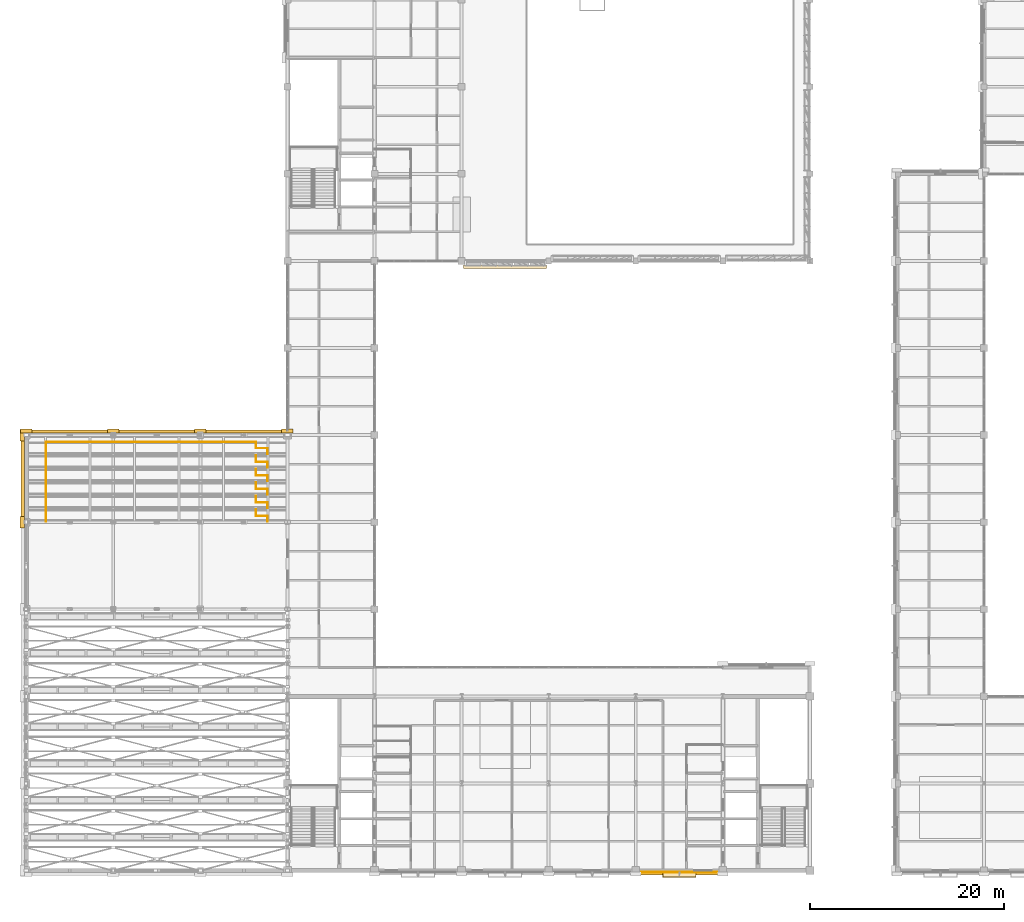
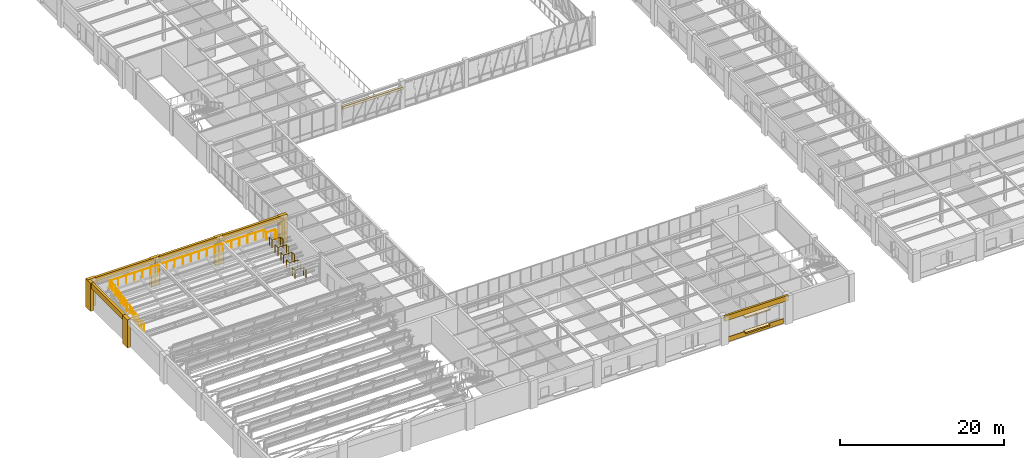
# One storey, part 103 of 108: 15 coverings, 11 railings.
"""IFC4 building model written with IfcOpenShell, lengths in metres."""

from ifc_helpers import new_model, si_unit, direction, frame, origin, origin_2d, place, context, subcontext, project, spatial, rectangle, circle, extrude, material, layer, layer_set, type_object, element, save


model = new_model("IFC4")

# Units and contexts
model_context = context("Model", 3, precision=1e-05, world=origin(), true_north=direction((0.0, 1.0)))
body_context = subcontext(model_context, "Body", "Model", "MODEL_VIEW")
ifc_project = project(units=[si_unit("LENGTHUNIT", "METRE"), si_unit("AREAUNIT", "SQUARE_METRE"), si_unit("VOLUMEUNIT", "CUBIC_METRE"), si_unit("PLANEANGLEUNIT", "RADIAN"), si_unit("MASSUNIT", "GRAM", prefix="KILO")], contexts=[model_context])

# Site, building, storey
site_placement = place(None, origin())
site = spatial("IfcSite", under=ifc_project, at=site_placement, CompositionType="ELEMENT")
building_placement = place(site_placement, origin())
building = spatial("IfcBuilding", under=site, at=building_placement, Name="Lykobir Media Centre", CompositionType="ELEMENT")
storey_placement = place(building_placement, frame((0.0, 0.0, 15.0)))
storey = spatial("IfcBuildingStorey", under=building, at=storey_placement, Name="L03", CompositionType="ELEMENT", Elevation=15.0)

# Coverings
ifc_material_1 = material(Name="Glazed Turquoise Terracotta", Category="masonry")
ifc_layer_1 = layer(ifc_material_1, 0.0400390625, Name="Glazed Turquoise Terracotta")
ifc_layer_set_1 = layer_set([ifc_layer_1], Name="Glazed Turquoise Terracotta")
covering_type_1 = type_object("IfcCoveringType", Name="CLD-TERR", PredefinedType="CLADDING", material=ifc_layer_set_1)
covering_1_placement = place(storey_placement, frame((67.5, -0.196044921875, 0.080078125), z_axis=(0.0, 0.0, 1.0), x_axis=(1.0, 0.0, 0.0)))
element("IfcCovering", 1, at=covering_1_placement, inside=storey, type_object=covering_type_1, Name="Facade spandrel apron 489", PredefinedType="CLADDING", context=body_context, shape_type="SweptSolid", body=[
    extrude(rectangle(XDim=7.830078125, YDim=0.10009765625, at=origin_2d()), origin(), (0.0, 0.0, 1.0), 0.719970703125),
])
ifc_material_2 = material(Name="Honed Travertine Stone", Category="masonry")
ifc_layer_2 = layer(ifc_material_2, 0.050048828125, Name="Honed Travertine Stone")
ifc_layer_set_2 = layer_set([ifc_layer_2], Name="Honed Travertine Stone")
covering_type_2 = type_object("IfcCoveringType", Name="CLD-TRAV", PredefinedType="CLADDING", material=ifc_layer_set_2)
covering_2_placement = place(storey_placement, frame((67.5, -0.300048828125, 3.43994140625), z_axis=(0.0, 0.0, 1.0), x_axis=(1.0, 0.0, 0.0)))
element("IfcCovering", 2, at=covering_2_placement, inside=storey, type_object=covering_type_2, Name="Travertine spandrel stringcourse 488", PredefinedType="CLADDING", context=body_context, shape_type="SweptSolid", body=[
    extrude(rectangle(XDim=9.0, YDim=0.280029296875, at=origin_2d()), origin(), (0.0, 0.0, 1.0), 0.760009765625),
])
covering_3_placement = place(storey_placement, frame((67.5, -0.429931640625, 0.77001953125), z_axis=(0.0, 0.0, 1.0), x_axis=(1.0, 0.0, 0.0)))
element("IfcCovering", 3, at=covering_3_placement, inside=storey, type_object=covering_type_2, Name="Ottoman Cumba sill 490", PredefinedType="CLADDING", context=body_context, shape_type="SweptSolid", body=[
    extrude(rectangle(XDim=3.39990234375, YDim=0.52001953125, at=origin_2d()), origin(), (0.0, 0.0, 1.0), 0.179931640625),
])
covering_4_placement = place(storey_placement, frame((67.5, -0.429931640625, 3.08984375), z_axis=(0.0, 0.0, 1.0), x_axis=(1.0, 0.0, 0.0)))
element("IfcCovering", 4, at=covering_4_placement, inside=storey, type_object=covering_type_2, Name="Ottoman Cumba canopy 491", PredefinedType="CLADDING", context=body_context, shape_type="SweptSolid", body=[
    extrude(rectangle(XDim=3.5, YDim=0.60009765625, at=origin_2d()), origin(), (0.0, 0.0, 1.0), 0.179931640625),
])
covering_5_placement = place(storey_placement, frame((49.5, 62.396240234375, 3.3251953125), z_axis=(0.0, 0.0, 1.0), x_axis=(1.0, 0.0, 0.0)))
element("IfcCovering", 5, at=covering_5_placement, inside=storey, type_object=covering_type_2, Name="V6 diagonal crease rib 496", PredefinedType="CLADDING", context=body_context, shape_type="SweptSolid", body=[
    extrude(rectangle(XDim=8.580078125, YDim=0.360107421875, at=origin_2d()), origin(), (0.0, 0.0, 1.0), 0.340087890625),
])
covering_6_placement = place(storey_placement, frame((4.5, 45.360107421875, 3.35986328125), z_axis=(0.0, 0.0, 1.0), x_axis=(-1.0, 0.0, 0.0)))
element("IfcCovering", 6, at=covering_6_placement, inside=storey, type_object=covering_type_2, Name="Acoustic hall cornice band 513", PredefinedType="CLADDING", context=body_context, shape_type="SweptSolid", body=[
    extrude(rectangle(XDim=9.0, YDim=0.340087890625, at=origin_2d()), origin(), (0.0, 0.0, 1.0), 0.840087890625),
])
for number, where, z_axis, x_axis, name in (
    (7, (9.0, 45.419921875, 0.0), (0.0, 0.0, 1.0), (-1.0, 0.0, 0.0), "Stone pilaster 514"),
    (8, (0.0, 45.419921875, 0.0), (0.0, 0.0, 1.0), (-1.0, 0.0, 0.0), "Stone pilaster 515"),
):
    element("IfcCovering", number, at=place(storey_placement, frame(where, z_axis=z_axis, x_axis=x_axis)), inside=storey, type_object=covering_type_2, Name=name, PredefinedType="CLADDING", context=body_context, shape_type="SweptSolid", body=[
        extrude(rectangle(XDim=1.179931640625, YDim=0.43994140625, at=origin_2d()), origin(), (0.0, 0.0, 1.0), 4.199951171875),
    ])
covering_7_placement = place(storey_placement, frame((13.5, 45.360107421875, 3.35986328125), z_axis=(0.0, 0.0, 1.0), x_axis=(-1.0, 0.0, 0.0)))
element("IfcCovering", 9, at=covering_7_placement, inside=storey, type_object=covering_type_2, Name="Acoustic hall cornice band 516", PredefinedType="CLADDING", context=body_context, shape_type="SweptSolid", body=[
    extrude(rectangle(XDim=9.0, YDim=0.340087890625, at=origin_2d()), origin(), (0.0, 0.0, 1.0), 0.840087890625),
])
covering_8_placement = place(storey_placement, frame((18.0, 45.419921875, 0.0), z_axis=(0.0, 0.0, 1.0), x_axis=(-1.0, 0.0, 0.0)))
element("IfcCovering", 10, at=covering_8_placement, inside=storey, type_object=covering_type_2, Name="Stone pilaster 517", PredefinedType="CLADDING", context=body_context, shape_type="SweptSolid", body=[
    extrude(rectangle(XDim=1.179931640625, YDim=0.43994140625, at=origin_2d()), origin(), (0.0, 0.0, 1.0), 4.199951171875),
])
covering_9_placement = place(storey_placement, frame((22.5, 45.360107421875, 3.35986328125), z_axis=(0.0, 0.0, 1.0), x_axis=(-1.0, 0.0, 0.0)))
element("IfcCovering", 11, at=covering_9_placement, inside=storey, type_object=covering_type_2, Name="Acoustic hall cornice band 518", PredefinedType="CLADDING", context=body_context, shape_type="SweptSolid", body=[
    extrude(rectangle(XDim=9.0, YDim=0.340087890625, at=origin_2d()), origin(), (0.0, 0.0, 1.0), 0.840087890625),
])
for number, where, z_axis, x_axis, name in (
    (12, (27.0, 45.419921875, 0.0), (0.0, 0.0, 1.0), (-1.0, 0.0, 0.0), "Stone pilaster 519"),
    (13, (-0.419921875, 36.0, 0.0), (0.0, 0.0, 1.0), (0.0, -1.0, 0.0), "Stone pilaster 521"),
):
    element("IfcCovering", number, at=place(storey_placement, frame(where, z_axis=z_axis, x_axis=x_axis)), inside=storey, type_object=covering_type_2, Name=name, PredefinedType="CLADDING", context=body_context, shape_type="SweptSolid", body=[
        extrude(rectangle(XDim=1.179931640625, YDim=0.43994140625, at=origin_2d()), origin(), (0.0, 0.0, 1.0), 4.199951171875),
    ])
covering_10_placement = place(storey_placement, frame((-0.360107421875, 40.5, 3.35986328125), z_axis=(0.0, 0.0, 1.0), x_axis=(0.0, -1.0, 0.0)))
element("IfcCovering", 14, at=covering_10_placement, inside=storey, type_object=covering_type_2, Name="Acoustic hall cornice band 523", PredefinedType="CLADDING", context=body_context, shape_type="SweptSolid", body=[
    extrude(rectangle(XDim=9.0, YDim=0.340087890625, at=origin_2d()), origin(), (0.0, 0.0, 1.0), 0.840087890625),
])
covering_11_placement = place(storey_placement, frame((-0.419921875, 45.0, 0.0), z_axis=(0.0, 0.0, 1.0), x_axis=(0.0, -1.0, 0.0)))
element("IfcCovering", 15, at=covering_11_placement, inside=storey, type_object=covering_type_2, Name="Stone pilaster 524", PredefinedType="CLADDING", context=body_context, shape_type="SweptSolid", body=[
    extrude(rectangle(XDim=1.179931640625, YDim=0.43994140625, at=origin_2d()), origin(), (0.0, 0.0, 1.0), 4.199951171875),
])

# Railings
ifc_material_3 = material(Name="Steel S355", Category="steel")
railing_type = type_object("IfcRailingType", Name="GR-1200", PredefinedType="BALUSTRADE", material=ifc_material_3)
railing_1_placement = place(storey_placement, frame((2.06005859375, 36.06005859375, 1.159912109375)))
element("IfcRailing", 16, at=railing_1_placement, inside=storey, type_object=railing_type, Name="SCR5 west tier 1 balustrade", PredefinedType="BALUSTRADE", context=body_context, shape_type="SweptSolid", body=[
    extrude(circle(Radius=0.02392578125, at=origin_2d()), frame((0.0, 0.0, 1.17578125), z_axis=(0.0, 1.0, 0.0), x_axis=(-1.0, 0.0, 0.0)), (0.0, 0.0, 1.0), 1.239990234375),
    extrude(circle(Radius=0.02099609375, at=origin_2d()), origin(), (0.0, 0.0, 1.0), 1.15185546875),
    extrude(circle(Radius=0.02099609375, at=origin_2d()), frame((0.0, 0.6201171875, 0.0)), (0.0, 0.0, 1.0), 1.15185546875),
    extrude(circle(Radius=0.02099609375, at=origin_2d()), frame((0.0, 1.239990234375, 0.0)), (0.0, 0.0, 1.0), 1.15185546875),
])
railing_2_placement = place(storey_placement, frame((24.93994140625, 36.06005859375, 1.159912109375)))
element("IfcRailing", 17, at=railing_2_placement, inside=storey, type_object=railing_type, Name="SCR5 east tier 1 balustrade", PredefinedType="BALUSTRADE", context=body_context, shape_type="SweptSolid", body=[
    extrude(circle(Radius=0.02392578125, at=origin_2d()), frame((0.0, 0.0, 1.17578125), z_axis=(0.0, 1.0, 0.0), x_axis=(-1.0, 0.0, 0.0)), (0.0, 0.0, 1.0), 0.579833984375),
    extrude(circle(Radius=0.02392578125, at=origin_2d()), frame((0.0, 0.579833984375, 1.17578125), z_axis=(-1.0, 0.0, 0.0), x_axis=(0.0, -1.0, 0.0)), (0.0, 0.0, 1.0), 1.199951171875),
    extrude(circle(Radius=0.02392578125, at=origin_2d()), frame((-1.199951171875, 0.579833984375, 1.17578125), z_axis=(0.0, 1.0, 0.0), x_axis=(-1.0, 0.0, 0.0)), (0.0, 0.0, 1.0), 0.66015625),
    extrude(circle(Radius=0.02099609375, at=origin_2d()), origin(), (0.0, 0.0, 1.0), 1.15185546875),
    extrude(circle(Radius=0.02099609375, at=origin_2d()), frame((0.0, 0.579833984375, 0.0)), (0.0, 0.0, 1.0), 1.15185546875),
    extrude(circle(Radius=0.02099609375, at=origin_2d()), frame((-1.199951171875, 0.579833984375, 0.0)), (0.0, 0.0, 1.0), 1.15185546875),
    extrude(circle(Radius=0.02099609375, at=origin_2d()), frame((-1.199951171875, 1.239990234375, 0.0)), (0.0, 0.0, 1.0), 1.15185546875),
])
railing_3_placement = place(storey_placement, frame((2.06005859375, 37.4599609375, 1.43994140625)))
element("IfcRailing", 18, at=railing_3_placement, inside=storey, type_object=railing_type, Name="SCR5 west tier 2 balustrade", PredefinedType="BALUSTRADE", context=body_context, shape_type="SweptSolid", body=[
    extrude(circle(Radius=0.02392578125, at=origin_2d()), frame((0.0, 0.0, 1.17578125), z_axis=(0.0, 1.0, 0.0), x_axis=(-1.0, 0.0, 0.0)), (0.0, 0.0, 1.0), 1.239990234375),
    extrude(circle(Radius=0.02099609375, at=origin_2d()), origin(), (0.0, 0.0, 1.0), 1.15185546875),
    extrude(circle(Radius=0.02099609375, at=origin_2d()), frame((0.0, 0.6201171875, 0.0)), (0.0, 0.0, 1.0), 1.15185546875),
    extrude(circle(Radius=0.02099609375, at=origin_2d()), frame((0.0, 1.239990234375, 0.0)), (0.0, 0.0, 1.0), 1.15185546875),
])
railing_4_placement = place(storey_placement, frame((24.93994140625, 37.4599609375, 1.43994140625)))
element("IfcRailing", 19, at=railing_4_placement, inside=storey, type_object=railing_type, Name="SCR5 east tier 2 balustrade", PredefinedType="BALUSTRADE", context=body_context, shape_type="SweptSolid", body=[
    extrude(circle(Radius=0.02392578125, at=origin_2d()), frame((0.0, 0.0, 1.17578125), z_axis=(0.0, 1.0, 0.0), x_axis=(-1.0, 0.0, 0.0)), (0.0, 0.0, 1.0), 0.580078125),
    extrude(circle(Radius=0.02392578125, at=origin_2d()), frame((0.0, 0.580078125, 1.17578125), z_axis=(-1.0, 0.0, 0.0), x_axis=(0.0, -1.0, 0.0)), (0.0, 0.0, 1.0), 1.199951171875),
    extrude(circle(Radius=0.02392578125, at=origin_2d()), frame((-1.199951171875, 0.580078125, 1.17578125), z_axis=(0.0, 1.0, 0.0), x_axis=(-1.0, 0.0, 0.0)), (0.0, 0.0, 1.0), 0.659912109375),
    extrude(circle(Radius=0.02099609375, at=origin_2d()), origin(), (0.0, 0.0, 1.0), 1.15185546875),
    extrude(circle(Radius=0.02099609375, at=origin_2d()), frame((0.0, 0.580078125, 0.0)), (0.0, 0.0, 1.0), 1.15185546875),
    extrude(circle(Radius=0.02099609375, at=origin_2d()), frame((-1.199951171875, 0.580078125, 0.0)), (0.0, 0.0, 1.0), 1.15185546875),
    extrude(circle(Radius=0.02099609375, at=origin_2d()), frame((-1.199951171875, 1.239990234375, 0.0)), (0.0, 0.0, 1.0), 1.15185546875),
])
railing_5_placement = place(storey_placement, frame((2.06005859375, 38.860107421875, 1.719970703125)))
element("IfcRailing", 20, at=railing_5_placement, inside=storey, type_object=railing_type, Name="SCR5 west tier 3 balustrade", PredefinedType="BALUSTRADE", context=body_context, shape_type="SweptSolid", body=[
    extrude(circle(Radius=0.02392578125, at=origin_2d()), frame((0.0, 0.0, 1.17578125), z_axis=(0.0, 1.0, 0.0), x_axis=(-1.0, 0.0, 0.0)), (0.0, 0.0, 1.0), 1.239990234375),
    extrude(circle(Radius=0.02099609375, at=origin_2d()), origin(), (0.0, 0.0, 1.0), 1.15185546875),
    extrude(circle(Radius=0.02099609375, at=origin_2d()), frame((0.0, 0.6201171875, 0.0)), (0.0, 0.0, 1.0), 1.15185546875),
    extrude(circle(Radius=0.02099609375, at=origin_2d()), frame((0.0, 1.239990234375, 0.0)), (0.0, 0.0, 1.0), 1.15185546875),
])
railing_6_placement = place(storey_placement, frame((24.93994140625, 38.860107421875, 1.719970703125)))
element("IfcRailing", 21, at=railing_6_placement, inside=storey, type_object=railing_type, Name="SCR5 east tier 3 balustrade", PredefinedType="BALUSTRADE", context=body_context, shape_type="SweptSolid", body=[
    extrude(circle(Radius=0.02392578125, at=origin_2d()), frame((0.0, 0.0, 1.17578125), z_axis=(0.0, 1.0, 0.0), x_axis=(-1.0, 0.0, 0.0)), (0.0, 0.0, 1.0), 0.579833984375),
    extrude(circle(Radius=0.02392578125, at=origin_2d()), frame((0.0, 0.579833984375, 1.17578125), z_axis=(-1.0, 0.0, 0.0), x_axis=(0.0, -1.0, 0.0)), (0.0, 0.0, 1.0), 1.199951171875),
    extrude(circle(Radius=0.02392578125, at=origin_2d()), frame((-1.199951171875, 0.579833984375, 1.17578125), z_axis=(0.0, 1.0, 0.0), x_axis=(-1.0, 0.0, 0.0)), (0.0, 0.0, 1.0), 0.66015625),
    extrude(circle(Radius=0.02099609375, at=origin_2d()), origin(), (0.0, 0.0, 1.0), 1.15185546875),
    extrude(circle(Radius=0.02099609375, at=origin_2d()), frame((0.0, 0.579833984375, 0.0)), (0.0, 0.0, 1.0), 1.15185546875),
    extrude(circle(Radius=0.02099609375, at=origin_2d()), frame((-1.199951171875, 0.579833984375, 0.0)), (0.0, 0.0, 1.0), 1.15185546875),
    extrude(circle(Radius=0.02099609375, at=origin_2d()), frame((-1.199951171875, 1.239990234375, 0.0)), (0.0, 0.0, 1.0), 1.15185546875),
])
railing_7_placement = place(storey_placement, frame((2.06005859375, 40.260009765625, 2.0)))
element("IfcRailing", 22, at=railing_7_placement, inside=storey, type_object=railing_type, Name="SCR5 west tier 4 balustrade", PredefinedType="BALUSTRADE", context=body_context, shape_type="SweptSolid", body=[
    extrude(circle(Radius=0.02392578125, at=origin_2d()), frame((0.0, 0.0, 1.17578125), z_axis=(0.0, 1.0, 0.0), x_axis=(-1.0, 0.0, 0.0)), (0.0, 0.0, 1.0), 1.239990234375),
    extrude(circle(Radius=0.02099609375, at=origin_2d()), origin(), (0.0, 0.0, 1.0), 1.15185546875),
    extrude(circle(Radius=0.02099609375, at=origin_2d()), frame((0.0, 0.6201171875, 0.0)), (0.0, 0.0, 1.0), 1.15185546875),
    extrude(circle(Radius=0.02099609375, at=origin_2d()), frame((0.0, 1.239990234375, 0.0)), (0.0, 0.0, 1.0), 1.15185546875),
])
railing_8_placement = place(storey_placement, frame((24.93994140625, 40.260009765625, 2.0)))
element("IfcRailing", 23, at=railing_8_placement, inside=storey, type_object=railing_type, Name="SCR5 east tier 4 balustrade", PredefinedType="BALUSTRADE", context=body_context, shape_type="SweptSolid", body=[
    extrude(circle(Radius=0.02392578125, at=origin_2d()), frame((0.0, 0.0, 1.17578125), z_axis=(0.0, 1.0, 0.0), x_axis=(-1.0, 0.0, 0.0)), (0.0, 0.0, 1.0), 0.580078125),
    extrude(circle(Radius=0.02392578125, at=origin_2d()), frame((0.0, 0.580078125, 1.17578125), z_axis=(-1.0, 0.0, 0.0), x_axis=(0.0, -1.0, 0.0)), (0.0, 0.0, 1.0), 1.199951171875),
    extrude(circle(Radius=0.02392578125, at=origin_2d()), frame((-1.199951171875, 0.580078125, 1.17578125), z_axis=(0.0, 1.0, 0.0), x_axis=(-1.0, 0.0, 0.0)), (0.0, 0.0, 1.0), 0.659912109375),
    extrude(circle(Radius=0.02099609375, at=origin_2d()), origin(), (0.0, 0.0, 1.0), 1.15185546875),
    extrude(circle(Radius=0.02099609375, at=origin_2d()), frame((0.0, 0.580078125, 0.0)), (0.0, 0.0, 1.0), 1.15185546875),
    extrude(circle(Radius=0.02099609375, at=origin_2d()), frame((-1.199951171875, 0.580078125, 0.0)), (0.0, 0.0, 1.0), 1.15185546875),
    extrude(circle(Radius=0.02099609375, at=origin_2d()), frame((-1.199951171875, 1.239990234375, 0.0)), (0.0, 0.0, 1.0), 1.15185546875),
])
railing_9_placement = place(storey_placement, frame((2.06005859375, 41.659912109375, 2.280029296875)))
element("IfcRailing", 24, at=railing_9_placement, inside=storey, type_object=railing_type, Name="SCR5 west tier 5 balustrade", PredefinedType="BALUSTRADE", context=body_context, shape_type="SweptSolid", body=[
    extrude(circle(Radius=0.02392578125, at=origin_2d()), frame((0.0, 0.0, 1.17578125), z_axis=(0.0, 1.0, 0.0), x_axis=(-1.0, 0.0, 0.0)), (0.0, 0.0, 1.0), 1.239990234375),
    extrude(circle(Radius=0.02099609375, at=origin_2d()), origin(), (0.0, 0.0, 1.0), 1.15185546875),
    extrude(circle(Radius=0.02099609375, at=origin_2d()), frame((0.0, 0.6201171875, 0.0)), (0.0, 0.0, 1.0), 1.15185546875),
    extrude(circle(Radius=0.02099609375, at=origin_2d()), frame((0.0, 1.239990234375, 0.0)), (0.0, 0.0, 1.0), 1.15185546875),
])
railing_10_placement = place(storey_placement, frame((24.93994140625, 41.659912109375, 2.280029296875)))
element("IfcRailing", 25, at=railing_10_placement, inside=storey, type_object=railing_type, Name="SCR5 east tier 5 balustrade", PredefinedType="BALUSTRADE", context=body_context, shape_type="SweptSolid", body=[
    extrude(circle(Radius=0.02392578125, at=origin_2d()), frame((0.0, 0.0, 1.17578125), z_axis=(0.0, 1.0, 0.0), x_axis=(-1.0, 0.0, 0.0)), (0.0, 0.0, 1.0), 0.580078125),
    extrude(circle(Radius=0.02392578125, at=origin_2d()), frame((0.0, 0.580078125, 1.17578125), z_axis=(-1.0, 0.0, 0.0), x_axis=(0.0, -1.0, 0.0)), (0.0, 0.0, 1.0), 1.199951171875),
    extrude(circle(Radius=0.02392578125, at=origin_2d()), frame((-1.199951171875, 0.580078125, 1.17578125), z_axis=(0.0, 1.0, 0.0), x_axis=(-1.0, 0.0, 0.0)), (0.0, 0.0, 1.0), 0.659912109375),
    extrude(circle(Radius=0.02099609375, at=origin_2d()), origin(), (0.0, 0.0, 1.0), 1.15185546875),
    extrude(circle(Radius=0.02099609375, at=origin_2d()), frame((0.0, 0.580078125, 0.0)), (0.0, 0.0, 1.0), 1.15185546875),
    extrude(circle(Radius=0.02099609375, at=origin_2d()), frame((-1.199951171875, 0.580078125, 0.0)), (0.0, 0.0, 1.0), 1.15185546875),
    extrude(circle(Radius=0.02099609375, at=origin_2d()), frame((-1.199951171875, 1.239990234375, 0.0)), (0.0, 0.0, 1.0), 1.15185546875),
])
railing_11_placement = place(storey_placement, frame((2.06005859375, 43.06005859375, 2.56005859375)))
element("IfcRailing", 26, at=railing_11_placement, inside=storey, type_object=railing_type, Name="SCR5 rear tier 6 balustrade", PredefinedType="BALUSTRADE", context=body_context, shape_type="SweptSolid", body=[
    extrude(circle(Radius=0.02392578125, at=origin_2d()), frame((0.0, 0.0, 1.17578125), z_axis=(0.0, 1.0, 0.0), x_axis=(-1.0, 0.0, 0.0)), (0.0, 0.0, 1.0), 1.239990234375),
    extrude(circle(Radius=0.02392578125, at=origin_2d()), frame((0.0, 1.239990234375, 1.17578125), z_axis=(1.0, 0.0, 0.0), x_axis=(0.0, 1.0, 0.0)), (0.0, 0.0, 1.0), 21.679931640625),
    extrude(circle(Radius=0.02392578125, at=origin_2d()), frame((21.679931640625, 1.239990234375, 1.17578125), z_axis=(0.0, -1.0, 0.0), x_axis=(1.0, 0.0, 0.0)), (0.0, 0.0, 1.0), 0.66015625),
    extrude(circle(Radius=0.02392578125, at=origin_2d()), frame((21.679931640625, 0.579833984375, 1.17578125), z_axis=(1.0, 0.0, 0.0), x_axis=(0.0, 1.0, 0.0)), (0.0, 0.0, 1.0), 1.199951171875),
    extrude(circle(Radius=0.02392578125, at=origin_2d()), frame((22.8798828125, 0.579833984375, 1.17578125), z_axis=(0.0, -1.0, 0.0), x_axis=(1.0, 0.0, 0.0)), (0.0, 0.0, 1.0), 0.579833984375),
    extrude(circle(Radius=0.02099609375, at=origin_2d()), origin(), (0.0, 0.0, 1.0), 1.15185546875),
    extrude(circle(Radius=0.02099609375, at=origin_2d()), frame((0.0, 0.6201171875, 0.0)), (0.0, 0.0, 1.0), 1.15185546875),
    extrude(circle(Radius=0.02099609375, at=origin_2d()), frame((0.0, 1.239990234375, 0.0)), (0.0, 0.0, 1.0), 1.15185546875),
    extrude(circle(Radius=0.02099609375, at=origin_2d()), frame((1.14111328125, 1.239990234375, 0.0)), (0.0, 0.0, 1.0), 1.15185546875),
    extrude(circle(Radius=0.02099609375, at=origin_2d()), frame((2.281982421875, 1.239990234375, 0.0)), (0.0, 0.0, 1.0), 1.15185546875),
    extrude(circle(Radius=0.02099609375, at=origin_2d()), frame((3.423095703125, 1.239990234375, 0.0)), (0.0, 0.0, 1.0), 1.15185546875),
    extrude(circle(Radius=0.02099609375, at=origin_2d()), frame((4.564208984375, 1.239990234375, 0.0)), (0.0, 0.0, 1.0), 1.15185546875),
    extrude(circle(Radius=0.02099609375, at=origin_2d()), frame((5.705322265625, 1.239990234375, 0.0)), (0.0, 0.0, 1.0), 1.15185546875),
    extrude(circle(Radius=0.02099609375, at=origin_2d()), frame((6.84619140625, 1.239990234375, 0.0)), (0.0, 0.0, 1.0), 1.15185546875),
    extrude(circle(Radius=0.02099609375, at=origin_2d()), frame((7.9873046875, 1.239990234375, 0.0)), (0.0, 0.0, 1.0), 1.15185546875),
    extrude(circle(Radius=0.02099609375, at=origin_2d()), frame((9.12841796875, 1.239990234375, 0.0)), (0.0, 0.0, 1.0), 1.15185546875),
    extrude(circle(Radius=0.02099609375, at=origin_2d()), frame((10.26953125, 1.239990234375, 0.0)), (0.0, 0.0, 1.0), 1.15185546875),
    extrude(circle(Radius=0.02099609375, at=origin_2d()), frame((11.410400390625, 1.239990234375, 0.0)), (0.0, 0.0, 1.0), 1.15185546875),
    extrude(circle(Radius=0.02099609375, at=origin_2d()), frame((12.551513671875, 1.239990234375, 0.0)), (0.0, 0.0, 1.0), 1.15185546875),
    extrude(circle(Radius=0.02099609375, at=origin_2d()), frame((13.692626953125, 1.239990234375, 0.0)), (0.0, 0.0, 1.0), 1.15185546875),
    extrude(circle(Radius=0.02099609375, at=origin_2d()), frame((14.833740234375, 1.239990234375, 0.0)), (0.0, 0.0, 1.0), 1.15185546875),
    extrude(circle(Radius=0.02099609375, at=origin_2d()), frame((15.974609375, 1.239990234375, 0.0)), (0.0, 0.0, 1.0), 1.15185546875),
    extrude(circle(Radius=0.02099609375, at=origin_2d()), frame((17.11572265625, 1.239990234375, 0.0)), (0.0, 0.0, 1.0), 1.15185546875),
    extrude(circle(Radius=0.02099609375, at=origin_2d()), frame((18.2568359375, 1.239990234375, 0.0)), (0.0, 0.0, 1.0), 1.15185546875),
    extrude(circle(Radius=0.02099609375, at=origin_2d()), frame((19.39794921875, 1.239990234375, 0.0)), (0.0, 0.0, 1.0), 1.15185546875),
    extrude(circle(Radius=0.02099609375, at=origin_2d()), frame((20.538818359375, 1.239990234375, 0.0)), (0.0, 0.0, 1.0), 1.15185546875),
    extrude(circle(Radius=0.02099609375, at=origin_2d()), frame((21.679931640625, 1.239990234375, 0.0)), (0.0, 0.0, 1.0), 1.15185546875),
    extrude(circle(Radius=0.02099609375, at=origin_2d()), frame((21.679931640625, 0.579833984375, 0.0)), (0.0, 0.0, 1.0), 1.15185546875),
    extrude(circle(Radius=0.02099609375, at=origin_2d()), frame((22.8798828125, 0.579833984375, 0.0)), (0.0, 0.0, 1.0), 1.15185546875),
    extrude(circle(Radius=0.02099609375, at=origin_2d()), frame((22.8798828125, 0.0, 0.0)), (0.0, 0.0, 1.0), 1.15185546875),
])

save(model, "model.ifc")
